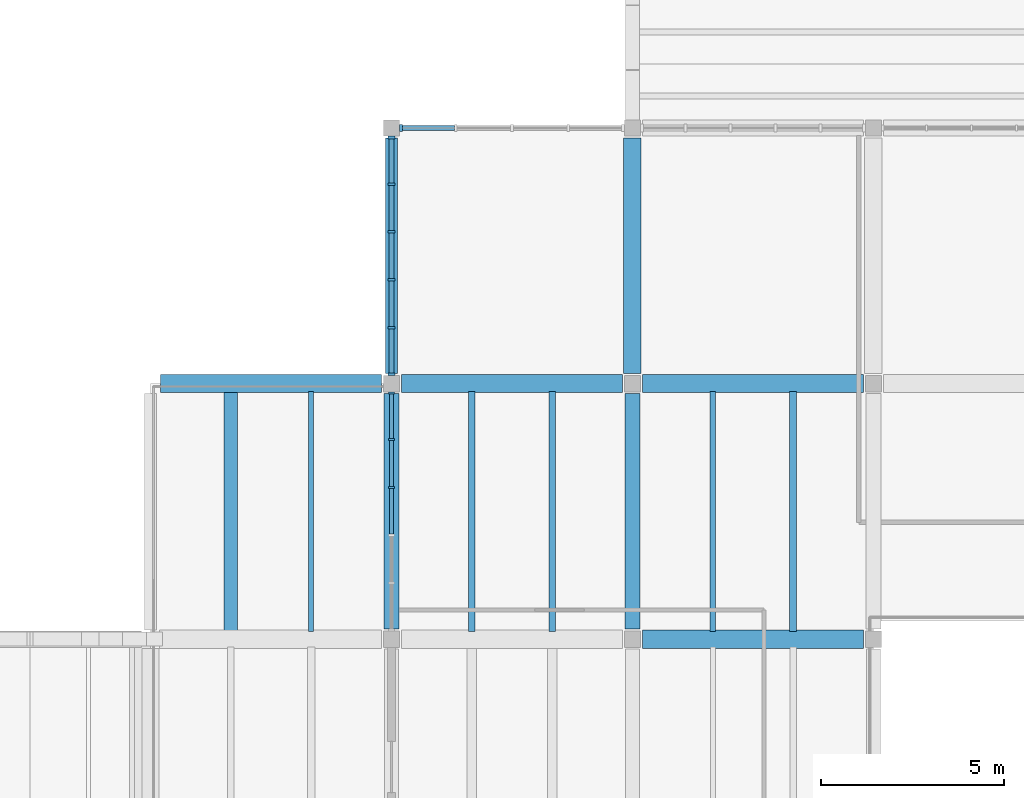
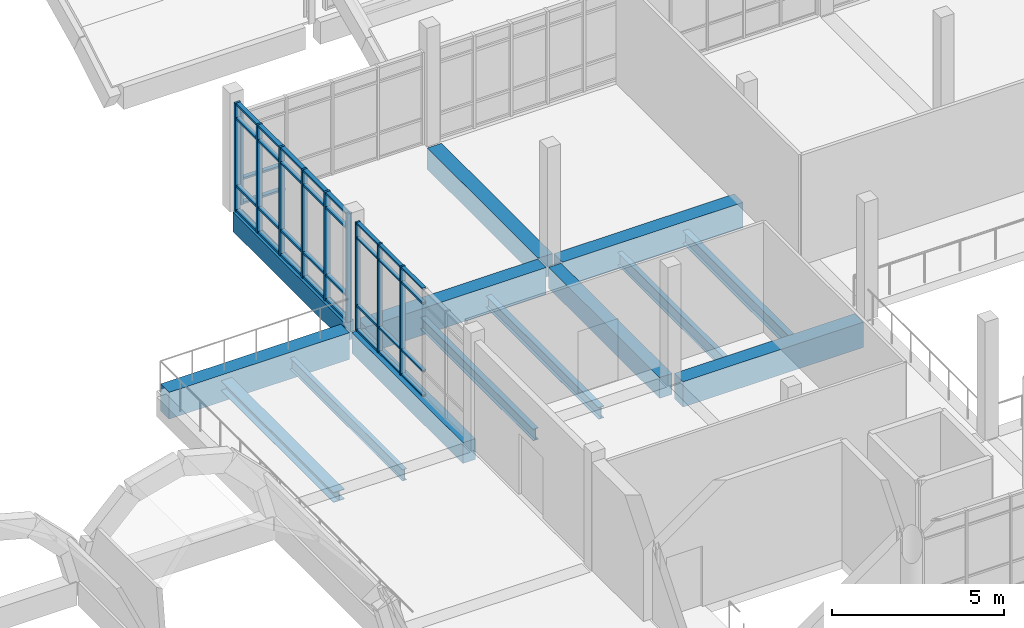
# One storey, part 5 of 92: 44 members, 14 beams, 3 elements without a shape of their own.
"""IFC4 building model written with IfcOpenShell, lengths in metres."""

from ifc_helpers import new_model, si_unit, direction, frame, origin, origin_2d, place, context, subcontext, project, spatial, rectangle, i_section, extrude, material, material_profile, profile_set, type_object, element, aggregate, save


model = new_model("IFC4")

# Units and contexts
model_context = context("Model", 3, precision=1e-05, world=origin(), true_north=direction((0.0, 1.0)))
body_context = subcontext(model_context, "Body", "Model", "MODEL_VIEW")
ifc_project = project(units=[si_unit("LENGTHUNIT", "METRE"), si_unit("AREAUNIT", "SQUARE_METRE"), si_unit("VOLUMEUNIT", "CUBIC_METRE"), si_unit("PLANEANGLEUNIT", "RADIAN"), si_unit("MASSUNIT", "GRAM", prefix="KILO")], contexts=[model_context])

# Site, building, storey
site_placement = place(None, origin())
site = spatial("IfcSite", under=ifc_project, at=site_placement, CompositionType="ELEMENT")
building_placement = place(site_placement, origin())
building = spatial("IfcBuilding", under=site, at=building_placement, Name="Ciguamira Faculty of Natural Sciences", CompositionType="ELEMENT")
storey_placement = place(building_placement, frame((0.0, 0.0, 16.800048828125)))
storey = spatial("IfcBuildingStorey", under=building, at=storey_placement, Name="L04", CompositionType="ELEMENT", Elevation=16.800048828125)

# Curtain wall, members
ifc_material_1 = material(Name="Anodized aluminium curtain wall", Category="aluminium")
curtain_wall_type_1 = type_object("IfcCurtainWallType", Name="CurtainWall_CW-10", PredefinedType="USERDEFINED", material=ifc_material_1)
curtain_wall_1_placement = place(storey_placement, origin())
curtain_wall_1 = element("IfcCurtainWall", 1, at=curtain_wall_1_placement, inside=storey, type_object=curtain_wall_type_1, Name="L04 unitised curtain wall 0130", ObjectType="UNITISED CURTAIN WALL", PredefinedType="USERDEFINED")
ifc_material_2 = material(Name="Anodized aluminium mullion", Category="aluminium")
ifc_material_profile_1 = material_profile(ifc_material_2, rectangle(XDim=0.06005859375, YDim=0.159912109375, at=origin_2d()), Name="ALU-MUL-60X160")
ifc_profile_set_1 = profile_set([ifc_material_profile_1], Name="Anodized aluminium mullion")
member_type_1 = type_object("IfcMemberType", Name="CWMullion_CWM-01", PredefinedType="MULLION", material=ifc_profile_set_1)
member_1_placement = place(storey_placement, frame((57.300048828125, 28.155029296875, 0.0), z_axis=(0.0, 0.0, 1.0), x_axis=(0.0, 1.0, 0.0)))
member_1 = element("IfcMember", 2, at=member_1_placement, type_object=member_type_1, Name="CW-10 mullion 4", PredefinedType="MULLION", context=body_context, shape_type="SweptSolid", body=[
    extrude(rectangle(XDim=0.06005859375, YDim=0.159912109375, at=origin_2d()), origin(), (0.0, 0.0, 1.0), 3.849853515625),
])
member_2_placement = place(storey_placement, frame((57.300048828125, 29.465087890625, 0.0), z_axis=(0.0, 0.0, 1.0), x_axis=(0.0, 1.0, 0.0)))
member_2 = element("IfcMember", 3, at=member_2_placement, type_object=member_type_1, Name="CW-10 mullion 5", PredefinedType="MULLION", context=body_context, shape_type="SweptSolid", body=[
    extrude(rectangle(XDim=0.06005859375, YDim=0.159912109375, at=origin_2d()), origin(), (0.0, 0.0, 1.0), 3.849853515625),
])
member_3_placement = place(storey_placement, frame((57.300048828125, 30.7451171875, 0.0), z_axis=(0.0, 0.0, 1.0), x_axis=(0.0, 1.0, 0.0)))
member_3 = element("IfcMember", 4, at=member_3_placement, type_object=member_type_1, Name="CW-10 mullion 6", PredefinedType="MULLION", context=body_context, shape_type="SweptSolid", body=[
    extrude(rectangle(XDim=0.06005859375, YDim=0.159912109375, at=origin_2d()), origin(), (0.0, 0.0, 1.0), 3.849853515625),
])

# Curtain wall, member
curtain_wall_type_2 = type_object("IfcCurtainWallType", Name="CurtainWall_CW-05", PredefinedType="USERDEFINED", material=ifc_material_1)
curtain_wall_2_placement = place(storey_placement, origin())
curtain_wall_2 = element("IfcCurtainWall", 5, at=curtain_wall_2_placement, inside=storey, type_object=curtain_wall_type_2, Name="L04 unitised curtain wall 0113", ObjectType="UNITISED CURTAIN WALL", PredefinedType="USERDEFINED")
ifc_material_profile_2 = material_profile(ifc_material_2, rectangle(XDim=0.070068359375, YDim=0.179931640625, at=origin_2d()), Name="ALU-MUL-70X180")
ifc_profile_set_2 = profile_set([ifc_material_profile_2], Name="Anodized aluminium mullion")
member_type_2 = type_object("IfcMemberType", Name="CWMullion_CWM-02", PredefinedType="MULLION", material=ifc_profile_set_2)
member_4_placement = place(storey_placement, frame((57.56005859375, 38.0, 0.0), z_axis=(0.0, 0.0, 1.0), x_axis=(1.0, 0.0, 0.0)))
member_4 = element("IfcMember", 6, at=member_4_placement, type_object=member_type_2, Name="CW-05 mullion 1", PredefinedType="MULLION", context=body_context, shape_type="SweptSolid", body=[
    extrude(rectangle(XDim=0.070068359375, YDim=0.179931640625, at=origin_2d()), origin(), (0.0, 0.0, 1.0), 3.284912109375),
])

# Curtain wall, members
curtain_wall_type_3 = type_object("IfcCurtainWallType", Name="CurtainWall_CW-11", PredefinedType="USERDEFINED", material=ifc_material_1)
curtain_wall_3_placement = place(storey_placement, origin())
curtain_wall_3 = element("IfcCurtainWall", 7, at=curtain_wall_3_placement, inside=storey, type_object=curtain_wall_type_3, Name="L04 unitised curtain wall 0131", ObjectType="UNITISED CURTAIN WALL", PredefinedType="USERDEFINED")
member_5_placement = place(storey_placement, frame((57.300048828125, 31.260009765625, 0.0), z_axis=(0.0, 0.0, 1.0), x_axis=(0.0, 1.0, 0.0)))
member_5 = element("IfcMember", 8, at=member_5_placement, type_object=member_type_2, Name="CW-11 mullion 1", PredefinedType="MULLION", context=body_context, shape_type="SweptSolid", body=[
    extrude(rectangle(XDim=0.070068359375, YDim=0.179931640625, at=origin_2d()), origin(), (0.0, 0.0, 1.0), 3.849853515625),
])
member_6_placement = place(storey_placement, frame((57.300048828125, 32.534912109375, 0.0), z_axis=(0.0, 0.0, 1.0), x_axis=(0.0, 1.0, 0.0)))
member_6 = element("IfcMember", 9, at=member_6_placement, type_object=member_type_2, Name="CW-11 mullion 2", PredefinedType="MULLION", context=body_context, shape_type="SweptSolid", body=[
    extrude(rectangle(XDim=0.070068359375, YDim=0.179931640625, at=origin_2d()), origin(), (0.0, 0.0, 1.0), 3.849853515625),
])
member_7_placement = place(storey_placement, frame((57.300048828125, 33.844970703125, 0.0), z_axis=(0.0, 0.0, 1.0), x_axis=(0.0, 1.0, 0.0)))
member_7 = element("IfcMember", 10, at=member_7_placement, type_object=member_type_2, Name="CW-11 mullion 3", PredefinedType="MULLION", context=body_context, shape_type="SweptSolid", body=[
    extrude(rectangle(XDim=0.070068359375, YDim=0.179931640625, at=origin_2d()), origin(), (0.0, 0.0, 1.0), 3.849853515625),
])
member_8_placement = place(storey_placement, frame((57.300048828125, 35.155029296875, 0.0), z_axis=(0.0, 0.0, 1.0), x_axis=(0.0, 1.0, 0.0)))
member_8 = element("IfcMember", 11, at=member_8_placement, type_object=member_type_2, Name="CW-11 mullion 4", PredefinedType="MULLION", context=body_context, shape_type="SweptSolid", body=[
    extrude(rectangle(XDim=0.070068359375, YDim=0.179931640625, at=origin_2d()), origin(), (0.0, 0.0, 1.0), 3.849853515625),
])
member_9_placement = place(storey_placement, frame((57.300048828125, 36.465087890625, 0.0), z_axis=(0.0, 0.0, 1.0), x_axis=(0.0, 1.0, 0.0)))
member_9 = element("IfcMember", 12, at=member_9_placement, type_object=member_type_2, Name="CW-11 mullion 5", PredefinedType="MULLION", context=body_context, shape_type="SweptSolid", body=[
    extrude(rectangle(XDim=0.070068359375, YDim=0.179931640625, at=origin_2d()), origin(), (0.0, 0.0, 1.0), 3.849853515625),
])
member_10_placement = place(storey_placement, frame((57.300048828125, 37.739990234375, 0.0), z_axis=(0.0, 0.0, 1.0), x_axis=(0.0, 1.0, 0.0)))
member_10 = element("IfcMember", 13, at=member_10_placement, type_object=member_type_2, Name="CW-11 mullion 6", PredefinedType="MULLION", context=body_context, shape_type="SweptSolid", body=[
    extrude(rectangle(XDim=0.070068359375, YDim=0.179931640625, at=origin_2d()), origin(), (0.0, 0.0, 1.0), 3.849853515625),
])

# Member
ifc_material_3 = material(Name="Anodized aluminium transom", Category="aluminium")
ifc_material_profile_3 = material_profile(ifc_material_3, rectangle(XDim=0.06005859375, YDim=0.1201171875, at=origin_2d()), Name="ALU-TRN-60X120")
ifc_profile_set_3 = profile_set([ifc_material_profile_3], Name="Anodized aluminium transom")
member_type_3 = type_object("IfcMemberType", Name="CWTransom_CWT-01", PredefinedType="USERDEFINED", material=ifc_profile_set_3)
member_11_placement = place(storey_placement, frame((57.300048828125, 26.875, 0.030029296875), z_axis=(0.0, 1.0, 0.0), x_axis=(0.0, 0.0, 1.0)))
member_11 = element("IfcMember", 14, at=member_11_placement, type_object=member_type_3, Name="CW-10 transom 3.1", ObjectType="TRANSOM", PredefinedType="USERDEFINED", context=body_context, shape_type="SweptSolid", body=[
    extrude(rectangle(XDim=0.06005859375, YDim=0.1201171875, at=origin_2d()), origin(), (0.0, 0.0, 1.0), 1.25),
])

member_12_placement = place(storey_placement, frame((57.300048828125, 26.875, 0.89990234375), z_axis=(0.0, 1.0, 0.0), x_axis=(0.0, 0.0, 1.0)))
member_12 = element("IfcMember", 15, at=member_12_placement, type_object=member_type_3, Name="CW-10 transom 3.2", ObjectType="TRANSOM", PredefinedType="USERDEFINED", context=body_context, shape_type="SweptSolid", body=[
    extrude(rectangle(XDim=0.06005859375, YDim=0.1201171875, at=origin_2d()), origin(), (0.0, 0.0, 1.0), 1.25),
])

member_13_placement = place(storey_placement, frame((57.300048828125, 26.875, 3.300048828125), z_axis=(0.0, 1.0, 0.0), x_axis=(0.0, 0.0, 1.0)))
member_13 = element("IfcMember", 16, at=member_13_placement, type_object=member_type_3, Name="CW-10 transom 3.3", ObjectType="TRANSOM", PredefinedType="USERDEFINED", context=body_context, shape_type="SweptSolid", body=[
    extrude(rectangle(XDim=0.06005859375, YDim=0.1201171875, at=origin_2d()), origin(), (0.0, 0.0, 1.0), 1.25),
])

member_14_placement = place(storey_placement, frame((57.300048828125, 26.875, 3.820068359375), z_axis=(0.0, 1.0, 0.0), x_axis=(0.0, 0.0, 1.0)))
member_14 = element("IfcMember", 17, at=member_14_placement, type_object=member_type_3, Name="CW-10 transom 3.4", ObjectType="TRANSOM", PredefinedType="USERDEFINED", context=body_context, shape_type="SweptSolid", body=[
    extrude(rectangle(XDim=0.06005859375, YDim=0.1201171875, at=origin_2d()), origin(), (0.0, 0.0, 1.0), 1.25),
])

member_15_placement = place(storey_placement, frame((57.300048828125, 28.18505859375, 0.030029296875), z_axis=(0.0, 1.0, 0.0), x_axis=(0.0, 0.0, 1.0)))
member_15 = element("IfcMember", 18, at=member_15_placement, type_object=member_type_3, Name="CW-10 transom 4.1", ObjectType="TRANSOM", PredefinedType="USERDEFINED", context=body_context, shape_type="SweptSolid", body=[
    extrude(rectangle(XDim=0.06005859375, YDim=0.1201171875, at=origin_2d()), origin(), (0.0, 0.0, 1.0), 1.25),
])

member_16_placement = place(storey_placement, frame((57.300048828125, 28.18505859375, 0.89990234375), z_axis=(0.0, 1.0, 0.0), x_axis=(0.0, 0.0, 1.0)))
member_16 = element("IfcMember", 19, at=member_16_placement, type_object=member_type_3, Name="CW-10 transom 4.2", ObjectType="TRANSOM", PredefinedType="USERDEFINED", context=body_context, shape_type="SweptSolid", body=[
    extrude(rectangle(XDim=0.06005859375, YDim=0.1201171875, at=origin_2d()), origin(), (0.0, 0.0, 1.0), 1.25),
])

member_17_placement = place(storey_placement, frame((57.300048828125, 28.18505859375, 3.300048828125), z_axis=(0.0, 1.0, 0.0), x_axis=(0.0, 0.0, 1.0)))
member_17 = element("IfcMember", 20, at=member_17_placement, type_object=member_type_3, Name="CW-10 transom 4.3", ObjectType="TRANSOM", PredefinedType="USERDEFINED", context=body_context, shape_type="SweptSolid", body=[
    extrude(rectangle(XDim=0.06005859375, YDim=0.1201171875, at=origin_2d()), origin(), (0.0, 0.0, 1.0), 1.25),
])

member_18_placement = place(storey_placement, frame((57.300048828125, 28.18505859375, 3.820068359375), z_axis=(0.0, 1.0, 0.0), x_axis=(0.0, 0.0, 1.0)))
member_18 = element("IfcMember", 21, at=member_18_placement, type_object=member_type_3, Name="CW-10 transom 4.4", ObjectType="TRANSOM", PredefinedType="USERDEFINED", context=body_context, shape_type="SweptSolid", body=[
    extrude(rectangle(XDim=0.06005859375, YDim=0.1201171875, at=origin_2d()), origin(), (0.0, 0.0, 1.0), 1.25),
])

member_19_placement = place(storey_placement, frame((57.300048828125, 29.4951171875, 0.030029296875), z_axis=(0.0, 1.0, 0.0), x_axis=(0.0, 0.0, 1.0)))
member_19 = element("IfcMember", 22, at=member_19_placement, type_object=member_type_3, Name="CW-10 transom 5.1", ObjectType="TRANSOM", PredefinedType="USERDEFINED", context=body_context, shape_type="SweptSolid", body=[
    extrude(rectangle(XDim=0.06005859375, YDim=0.1201171875, at=origin_2d()), origin(), (0.0, 0.0, 1.0), 1.219970703125),
])

member_20_placement = place(storey_placement, frame((57.300048828125, 29.4951171875, 0.89990234375), z_axis=(0.0, 1.0, 0.0), x_axis=(0.0, 0.0, 1.0)))
member_20 = element("IfcMember", 23, at=member_20_placement, type_object=member_type_3, Name="CW-10 transom 5.2", ObjectType="TRANSOM", PredefinedType="USERDEFINED", context=body_context, shape_type="SweptSolid", body=[
    extrude(rectangle(XDim=0.06005859375, YDim=0.1201171875, at=origin_2d()), origin(), (0.0, 0.0, 1.0), 1.219970703125),
])

member_21_placement = place(storey_placement, frame((57.300048828125, 29.4951171875, 3.300048828125), z_axis=(0.0, 1.0, 0.0), x_axis=(0.0, 0.0, 1.0)))
member_21 = element("IfcMember", 24, at=member_21_placement, type_object=member_type_3, Name="CW-10 transom 5.3", ObjectType="TRANSOM", PredefinedType="USERDEFINED", context=body_context, shape_type="SweptSolid", body=[
    extrude(rectangle(XDim=0.06005859375, YDim=0.1201171875, at=origin_2d()), origin(), (0.0, 0.0, 1.0), 1.219970703125),
])

member_22_placement = place(storey_placement, frame((57.300048828125, 29.4951171875, 3.820068359375), z_axis=(0.0, 1.0, 0.0), x_axis=(0.0, 0.0, 1.0)))
member_22 = element("IfcMember", 25, at=member_22_placement, type_object=member_type_3, Name="CW-10 transom 5.4", ObjectType="TRANSOM", PredefinedType="USERDEFINED", context=body_context, shape_type="SweptSolid", body=[
    extrude(rectangle(XDim=0.06005859375, YDim=0.1201171875, at=origin_2d()), origin(), (0.0, 0.0, 1.0), 1.219970703125),
])

aggregate(curtain_wall_1, [member_1, member_2, member_3, member_11, member_12, member_13, member_14, member_15, member_16, member_17, member_18, member_19, member_20, member_21, member_22])

ifc_material_profile_4 = material_profile(ifc_material_3, rectangle(XDim=0.070068359375, YDim=0.139892578125, at=origin_2d()), Name="ALU-TRN-70X140")
ifc_profile_set_4 = profile_set([ifc_material_profile_4], Name="Anodized aluminium transom")
member_type_4 = type_object("IfcMemberType", Name="CWTransom_CWT-02", PredefinedType="USERDEFINED", material=ifc_profile_set_4)
member_23_placement = place(storey_placement, frame((57.594970703125, 38.0, 0.034912109375), z_axis=(1.0, 0.0, 0.0), x_axis=(0.0, 0.0, 1.0)))
member_23 = element("IfcMember", 26, at=member_23_placement, type_object=member_type_4, Name="CW-05 transom 1.1", ObjectType="TRANSOM", PredefinedType="USERDEFINED", context=body_context, shape_type="SweptSolid", body=[
    extrude(rectangle(XDim=0.070068359375, YDim=0.139892578125, at=origin_2d()), origin(), (0.0, 0.0, 1.0), 1.4326171875),
])

member_24_placement = place(storey_placement, frame((57.594970703125, 38.0, 0.89990234375), z_axis=(1.0, 0.0, 0.0), x_axis=(0.0, 0.0, 1.0)))
member_24 = element("IfcMember", 27, at=member_24_placement, type_object=member_type_4, Name="CW-05 transom 1.2", ObjectType="TRANSOM", PredefinedType="USERDEFINED", context=body_context, shape_type="SweptSolid", body=[
    extrude(rectangle(XDim=0.070068359375, YDim=0.139892578125, at=origin_2d()), origin(), (0.0, 0.0, 1.0), 1.4326171875),
])

aggregate(curtain_wall_2, [member_4, member_23, member_24])

member_25_placement = place(storey_placement, frame((57.300048828125, 31.294921875, 0.034912109375), z_axis=(0.0, 1.0, 0.0), x_axis=(0.0, 0.0, 1.0)))
member_25 = element("IfcMember", 28, at=member_25_placement, type_object=member_type_4, Name="CW-11 transom 1.1", ObjectType="TRANSOM", PredefinedType="USERDEFINED", context=body_context, shape_type="SweptSolid", body=[
    extrude(rectangle(XDim=0.070068359375, YDim=0.139892578125, at=origin_2d()), origin(), (0.0, 0.0, 1.0), 1.205078125),
])

member_26_placement = place(storey_placement, frame((57.300048828125, 31.294921875, 0.89990234375), z_axis=(0.0, 1.0, 0.0), x_axis=(0.0, 0.0, 1.0)))
member_26 = element("IfcMember", 29, at=member_26_placement, type_object=member_type_4, Name="CW-11 transom 1.2", ObjectType="TRANSOM", PredefinedType="USERDEFINED", context=body_context, shape_type="SweptSolid", body=[
    extrude(rectangle(XDim=0.070068359375, YDim=0.139892578125, at=origin_2d()), origin(), (0.0, 0.0, 1.0), 1.205078125),
])

member_27_placement = place(storey_placement, frame((57.300048828125, 31.294921875, 3.300048828125), z_axis=(0.0, 1.0, 0.0), x_axis=(0.0, 0.0, 1.0)))
member_27 = element("IfcMember", 30, at=member_27_placement, type_object=member_type_4, Name="CW-11 transom 1.3", ObjectType="TRANSOM", PredefinedType="USERDEFINED", context=body_context, shape_type="SweptSolid", body=[
    extrude(rectangle(XDim=0.070068359375, YDim=0.139892578125, at=origin_2d()), origin(), (0.0, 0.0, 1.0), 1.205078125),
])

member_28_placement = place(storey_placement, frame((57.300048828125, 31.294921875, 3.81494140625), z_axis=(0.0, 1.0, 0.0), x_axis=(0.0, 0.0, 1.0)))
member_28 = element("IfcMember", 31, at=member_28_placement, type_object=member_type_4, Name="CW-11 transom 1.4", ObjectType="TRANSOM", PredefinedType="USERDEFINED", context=body_context, shape_type="SweptSolid", body=[
    extrude(rectangle(XDim=0.070068359375, YDim=0.139892578125, at=origin_2d()), origin(), (0.0, 0.0, 1.0), 1.205078125),
])

member_29_placement = place(storey_placement, frame((57.300048828125, 32.570068359375, 0.034912109375), z_axis=(0.0, 1.0, 0.0), x_axis=(0.0, 0.0, 1.0)))
member_29 = element("IfcMember", 32, at=member_29_placement, type_object=member_type_4, Name="CW-11 transom 2.1", ObjectType="TRANSOM", PredefinedType="USERDEFINED", context=body_context, shape_type="SweptSolid", body=[
    extrude(rectangle(XDim=0.070068359375, YDim=0.139892578125, at=origin_2d()), origin(), (0.0, 0.0, 1.0), 1.239990234375),
])

member_30_placement = place(storey_placement, frame((57.300048828125, 32.570068359375, 0.89990234375), z_axis=(0.0, 1.0, 0.0), x_axis=(0.0, 0.0, 1.0)))
member_30 = element("IfcMember", 33, at=member_30_placement, type_object=member_type_4, Name="CW-11 transom 2.2", ObjectType="TRANSOM", PredefinedType="USERDEFINED", context=body_context, shape_type="SweptSolid", body=[
    extrude(rectangle(XDim=0.070068359375, YDim=0.139892578125, at=origin_2d()), origin(), (0.0, 0.0, 1.0), 1.239990234375),
])

member_31_placement = place(storey_placement, frame((57.300048828125, 32.570068359375, 3.300048828125), z_axis=(0.0, 1.0, 0.0), x_axis=(0.0, 0.0, 1.0)))
member_31 = element("IfcMember", 34, at=member_31_placement, type_object=member_type_4, Name="CW-11 transom 2.3", ObjectType="TRANSOM", PredefinedType="USERDEFINED", context=body_context, shape_type="SweptSolid", body=[
    extrude(rectangle(XDim=0.070068359375, YDim=0.139892578125, at=origin_2d()), origin(), (0.0, 0.0, 1.0), 1.239990234375),
])

member_32_placement = place(storey_placement, frame((57.300048828125, 32.570068359375, 3.81494140625), z_axis=(0.0, 1.0, 0.0), x_axis=(0.0, 0.0, 1.0)))
member_32 = element("IfcMember", 35, at=member_32_placement, type_object=member_type_4, Name="CW-11 transom 2.4", ObjectType="TRANSOM", PredefinedType="USERDEFINED", context=body_context, shape_type="SweptSolid", body=[
    extrude(rectangle(XDim=0.070068359375, YDim=0.139892578125, at=origin_2d()), origin(), (0.0, 0.0, 1.0), 1.239990234375),
])

member_33_placement = place(storey_placement, frame((57.300048828125, 33.8798828125, 0.034912109375), z_axis=(0.0, 1.0, 0.0), x_axis=(0.0, 0.0, 1.0)))
member_33 = element("IfcMember", 36, at=member_33_placement, type_object=member_type_4, Name="CW-11 transom 3.1", ObjectType="TRANSOM", PredefinedType="USERDEFINED", context=body_context, shape_type="SweptSolid", body=[
    extrude(rectangle(XDim=0.070068359375, YDim=0.139892578125, at=origin_2d()), origin(), (0.0, 0.0, 1.0), 1.240234375),
])

member_34_placement = place(storey_placement, frame((57.300048828125, 33.8798828125, 0.89990234375), z_axis=(0.0, 1.0, 0.0), x_axis=(0.0, 0.0, 1.0)))
member_34 = element("IfcMember", 37, at=member_34_placement, type_object=member_type_4, Name="CW-11 transom 3.2", ObjectType="TRANSOM", PredefinedType="USERDEFINED", context=body_context, shape_type="SweptSolid", body=[
    extrude(rectangle(XDim=0.070068359375, YDim=0.139892578125, at=origin_2d()), origin(), (0.0, 0.0, 1.0), 1.240234375),
])

member_35_placement = place(storey_placement, frame((57.300048828125, 33.8798828125, 3.300048828125), z_axis=(0.0, 1.0, 0.0), x_axis=(0.0, 0.0, 1.0)))
member_35 = element("IfcMember", 38, at=member_35_placement, type_object=member_type_4, Name="CW-11 transom 3.3", ObjectType="TRANSOM", PredefinedType="USERDEFINED", context=body_context, shape_type="SweptSolid", body=[
    extrude(rectangle(XDim=0.070068359375, YDim=0.139892578125, at=origin_2d()), origin(), (0.0, 0.0, 1.0), 1.240234375),
])

member_36_placement = place(storey_placement, frame((57.300048828125, 33.8798828125, 3.81494140625), z_axis=(0.0, 1.0, 0.0), x_axis=(0.0, 0.0, 1.0)))
member_36 = element("IfcMember", 39, at=member_36_placement, type_object=member_type_4, Name="CW-11 transom 3.4", ObjectType="TRANSOM", PredefinedType="USERDEFINED", context=body_context, shape_type="SweptSolid", body=[
    extrude(rectangle(XDim=0.070068359375, YDim=0.139892578125, at=origin_2d()), origin(), (0.0, 0.0, 1.0), 1.240234375),
])

member_37_placement = place(storey_placement, frame((57.300048828125, 35.18994140625, 0.034912109375), z_axis=(0.0, 1.0, 0.0), x_axis=(0.0, 0.0, 1.0)))
member_37 = element("IfcMember", 40, at=member_37_placement, type_object=member_type_4, Name="CW-11 transom 4.1", ObjectType="TRANSOM", PredefinedType="USERDEFINED", context=body_context, shape_type="SweptSolid", body=[
    extrude(rectangle(XDim=0.070068359375, YDim=0.139892578125, at=origin_2d()), origin(), (0.0, 0.0, 1.0), 1.239990234375),
])

member_38_placement = place(storey_placement, frame((57.300048828125, 35.18994140625, 0.89990234375), z_axis=(0.0, 1.0, 0.0), x_axis=(0.0, 0.0, 1.0)))
member_38 = element("IfcMember", 41, at=member_38_placement, type_object=member_type_4, Name="CW-11 transom 4.2", ObjectType="TRANSOM", PredefinedType="USERDEFINED", context=body_context, shape_type="SweptSolid", body=[
    extrude(rectangle(XDim=0.070068359375, YDim=0.139892578125, at=origin_2d()), origin(), (0.0, 0.0, 1.0), 1.239990234375),
])

member_39_placement = place(storey_placement, frame((57.300048828125, 35.18994140625, 3.300048828125), z_axis=(0.0, 1.0, 0.0), x_axis=(0.0, 0.0, 1.0)))
member_39 = element("IfcMember", 42, at=member_39_placement, type_object=member_type_4, Name="CW-11 transom 4.3", ObjectType="TRANSOM", PredefinedType="USERDEFINED", context=body_context, shape_type="SweptSolid", body=[
    extrude(rectangle(XDim=0.070068359375, YDim=0.139892578125, at=origin_2d()), origin(), (0.0, 0.0, 1.0), 1.239990234375),
])

member_40_placement = place(storey_placement, frame((57.300048828125, 35.18994140625, 3.81494140625), z_axis=(0.0, 1.0, 0.0), x_axis=(0.0, 0.0, 1.0)))
member_40 = element("IfcMember", 43, at=member_40_placement, type_object=member_type_4, Name="CW-11 transom 4.4", ObjectType="TRANSOM", PredefinedType="USERDEFINED", context=body_context, shape_type="SweptSolid", body=[
    extrude(rectangle(XDim=0.070068359375, YDim=0.139892578125, at=origin_2d()), origin(), (0.0, 0.0, 1.0), 1.239990234375),
])

member_41_placement = place(storey_placement, frame((57.300048828125, 36.5, 0.034912109375), z_axis=(0.0, 1.0, 0.0), x_axis=(0.0, 0.0, 1.0)))
member_41 = element("IfcMember", 44, at=member_41_placement, type_object=member_type_4, Name="CW-11 transom 5.1", ObjectType="TRANSOM", PredefinedType="USERDEFINED", context=body_context, shape_type="SweptSolid", body=[
    extrude(rectangle(XDim=0.070068359375, YDim=0.139892578125, at=origin_2d()), origin(), (0.0, 0.0, 1.0), 1.205078125),
])

member_42_placement = place(storey_placement, frame((57.300048828125, 36.5, 0.89990234375), z_axis=(0.0, 1.0, 0.0), x_axis=(0.0, 0.0, 1.0)))
member_42 = element("IfcMember", 45, at=member_42_placement, type_object=member_type_4, Name="CW-11 transom 5.2", ObjectType="TRANSOM", PredefinedType="USERDEFINED", context=body_context, shape_type="SweptSolid", body=[
    extrude(rectangle(XDim=0.070068359375, YDim=0.139892578125, at=origin_2d()), origin(), (0.0, 0.0, 1.0), 1.205078125),
])

member_43_placement = place(storey_placement, frame((57.300048828125, 36.5, 3.300048828125), z_axis=(0.0, 1.0, 0.0), x_axis=(0.0, 0.0, 1.0)))
member_43 = element("IfcMember", 46, at=member_43_placement, type_object=member_type_4, Name="CW-11 transom 5.3", ObjectType="TRANSOM", PredefinedType="USERDEFINED", context=body_context, shape_type="SweptSolid", body=[
    extrude(rectangle(XDim=0.070068359375, YDim=0.139892578125, at=origin_2d()), origin(), (0.0, 0.0, 1.0), 1.205078125),
])

member_44_placement = place(storey_placement, frame((57.300048828125, 36.5, 3.81494140625), z_axis=(0.0, 1.0, 0.0), x_axis=(0.0, 0.0, 1.0)))
member_44 = element("IfcMember", 47, at=member_44_placement, type_object=member_type_4, Name="CW-11 transom 5.4", ObjectType="TRANSOM", PredefinedType="USERDEFINED", context=body_context, shape_type="SweptSolid", body=[
    extrude(rectangle(XDim=0.070068359375, YDim=0.139892578125, at=origin_2d()), origin(), (0.0, 0.0, 1.0), 1.205078125),
])

aggregate(curtain_wall_3, [member_5, member_6, member_7, member_8, member_9, member_10, member_25, member_26, member_27, member_28, member_29, member_30, member_31, member_32, member_33, member_34, member_35, member_36, member_37, member_38, member_39, member_40, member_41, member_42, member_43, member_44])

# Beams
ifc_material_4 = material(Name="Concrete C40/50", Category="concrete")
ifc_material_profile_5 = material_profile(ifc_material_4, rectangle(XDim=0.5, YDim=0.949951171875, at=origin_2d()), Name="RC-BM-500X950")
ifc_profile_set_5 = profile_set([ifc_material_profile_5], Name="Concrete C40/50")
beam_type_1 = type_object("IfcBeamType", Name="RCBeam_BG-02_RC-BM-500X950", PredefinedType="BEAM", material=ifc_profile_set_5)
beam_1_placement = place(storey_placement, frame((50.97509765625, 31.0, -0.47509765625), z_axis=(1.0, 0.0, 0.0), x_axis=(0.0, 1.0, 0.0)))
element("IfcBeam", 48, at=beam_1_placement, inside=storey, type_object=beam_type_1, Name="L04 RC girder EW-1351", PredefinedType="BEAM", context=body_context, shape_type="SweptSolid", body=[
    extrude(rectangle(XDim=0.5, YDim=0.949951171875, at=origin_2d()), origin(), (0.0, 0.0, 1.0), 6.0498046875),
])
beam_2_placement = place(storey_placement, frame((57.574951171875, 31.0, -0.47509765625), z_axis=(1.0, 0.0, 0.0), x_axis=(0.0, 1.0, 0.0)))
element("IfcBeam", 49, at=beam_2_placement, inside=storey, type_object=beam_type_1, Name="L04 RC girder EW-1352", PredefinedType="BEAM", context=body_context, shape_type="SweptSolid", body=[
    extrude(rectangle(XDim=0.5, YDim=0.949951171875, at=origin_2d()), origin(), (0.0, 0.0, 1.0), 6.050048828125),
])
ifc_material_profile_6 = material_profile(ifc_material_4, rectangle(XDim=0.5, YDim=0.89990234375, at=origin_2d()), Name="RC-BM-500X900")
ifc_profile_set_6 = profile_set([ifc_material_profile_6], Name="Concrete C40/50")
beam_type_2 = type_object("IfcBeamType", Name="RCBeam_BG-03_RC-BM-500X900", PredefinedType="BEAM", material=ifc_profile_set_6)
for number, where, z_axis, x_axis, name in (
    (50, (64.175048828125, 24.0, -0.449951171875), (1.0, 0.0, 0.0), (0.0, 1.0, 0.0), "L04 RC girder EW-1347"),
    (51, (64.175048828125, 31.0, -0.449951171875), (1.0, 0.0, 0.0), (0.0, 1.0, 0.0), "L04 RC girder EW-1353"),
):
    element("IfcBeam", number, at=place(storey_placement, frame(where, z_axis=z_axis, x_axis=x_axis)), inside=storey, type_object=beam_type_2, Name=name, PredefinedType="BEAM", context=body_context, shape_type="SweptSolid", body=[
        extrude(rectangle(XDim=0.5, YDim=0.89990234375, at=origin_2d()), origin(), (0.0, 0.0, 1.0), 6.050048828125),
    ])
ifc_material_profile_7 = material_profile(ifc_material_4, rectangle(XDim=0.419921875, YDim=0.739990234375, at=origin_2d()), Name="RC-BM-420X740")
ifc_profile_set_7 = profile_set([ifc_material_profile_7], Name="Concrete C40/50")
beam_type_3 = type_object("IfcBeamType", Name="RCBeam_BG-07_RC-BM-420X740", PredefinedType="BEAM", material=ifc_profile_set_7)
for number, where, z_axis, x_axis, name in (
    (52, (57.300048828125, 24.27490234375, -0.3701171875), (0.0, 1.0, 0.0), (-1.0, 0.0, 0.0), "L04 girder NS-1388"),
    (53, (63.89990234375, 24.27490234375, -0.3701171875), (0.0, 1.0, 0.0), (-1.0, 0.0, 0.0), "L04 girder NS-1394"),
):
    element("IfcBeam", number, at=place(storey_placement, frame(where, z_axis=z_axis, x_axis=x_axis)), inside=storey, type_object=beam_type_3, Name=name, PredefinedType="BEAM", context=body_context, shape_type="SweptSolid", body=[
        extrude(rectangle(XDim=0.419921875, YDim=0.739990234375, at=origin_2d()), origin(), (0.0, 0.0, 1.0), 6.4501953125),
    ])
ifc_material_5 = material(Name="Precast concrete C40/50", Category="concrete")
ifc_material_profile_8 = material_profile(ifc_material_5, rectangle(XDim=0.320068359375, YDim=0.679931640625, at=origin_2d()), Name="RC-SP-320X680")
ifc_profile_set_8 = profile_set([ifc_material_profile_8], Name="Precast concrete C40/50")
beam_type_4 = type_object("IfcBeamType", Name="RCBeam_SP-02_RC-SP-320X680", PredefinedType="SPANDREL", material=ifc_profile_set_8)
beam_3_placement = place(storey_placement, frame((57.300048828125, 31.27490234375, -0.340087890625), z_axis=(0.0, 1.0, 0.0), x_axis=(-1.0, 0.0, 0.0)))
element("IfcBeam", 54, at=beam_3_placement, inside=storey, type_object=beam_type_4, Name="L04 girder NS-1389", PredefinedType="SPANDREL", context=body_context, shape_type="SweptSolid", body=[
    extrude(rectangle(XDim=0.320068359375, YDim=0.679931640625, at=origin_2d()), origin(), (0.0, 0.0, 1.0), 6.4501953125),
])
ifc_material_profile_9 = material_profile(ifc_material_4, rectangle(XDim=0.47998046875, YDim=0.760009765625, at=origin_2d()), Name="RC-TB-480X760")
ifc_profile_set_9 = profile_set([ifc_material_profile_9], Name="Concrete C40/50")
beam_type_5 = type_object("IfcBeamType", Name="RCBeam_TB-01_RC-TB-480X760", PredefinedType="T_BEAM", material=ifc_profile_set_9)
beam_4_placement = place(storey_placement, frame((63.89990234375, 31.27490234375, -0.380126953125), z_axis=(0.0, 1.0, 0.0), x_axis=(-1.0, 0.0, 0.0)))
element("IfcBeam", 55, at=beam_4_placement, inside=storey, type_object=beam_type_5, Name="L04 girder NS-1395", PredefinedType="T_BEAM", context=body_context, shape_type="SweptSolid", body=[
    extrude(rectangle(XDim=0.47998046875, YDim=0.760009765625, at=origin_2d()), origin(), (0.0, 0.0, 1.0), 6.4501953125),
])
ifc_material_6 = material(Name="Steel ASTM A992 Grade 50", Category="steel")
ifc_material_profile_10 = material_profile(ifc_material_6, i_section(OverallWidth=0.368408203125, OverallDepth=0.355712890625, WebThickness=0.01123046875, FlangeThickness=0.01806640625, at=origin_2d()), Name="W14X90")
ifc_profile_set_10 = profile_set([ifc_material_profile_10], Name="Steel ASTM A992 Grade 50")
beam_type_6 = type_object("IfcBeamType", Name="SteelJoist_SJ-16_W14X90", PredefinedType="JOIST", material=ifc_profile_set_10)
beam_5_placement = place(storey_placement, frame((52.89990234375, 24.2099609375, -0.3779296875), z_axis=(0.0, 1.0, 0.0), x_axis=(-1.0, 0.0, 0.0)))
element("IfcBeam", 56, at=beam_5_placement, inside=storey, type_object=beam_type_6, Name="L04 composite steel joist 01273", PredefinedType="JOIST", context=body_context, shape_type="SweptSolid", body=[
    extrude(i_section(OverallWidth=0.368408203125, OverallDepth=0.355712890625, WebThickness=0.01123046875, FlangeThickness=0.01806640625, at=origin_2d()), origin(), (0.0, 0.0, 1.0), 6.580078125),
])
ifc_material_profile_11 = material_profile(ifc_material_6, i_section(OverallWidth=0.140380859375, OverallDepth=0.40380859375, WebThickness=0.007080078125, FlangeThickness=0.01123046875, at=origin_2d()), Name="W16X31")
ifc_profile_set_11 = profile_set([ifc_material_profile_11], Name="Steel ASTM A992 Grade 50")
beam_type_7 = type_object("IfcBeamType", Name="SteelJoist_SJ-17_W16X31", PredefinedType="JOIST", material=ifc_profile_set_11)
beam_6_placement = place(storey_placement, frame((55.10009765625, 24.2099609375, -0.40185546875), z_axis=(0.0, 1.0, 0.0), x_axis=(-1.0, 0.0, 0.0)))
element("IfcBeam", 57, at=beam_6_placement, inside=storey, type_object=beam_type_7, Name="L04 composite steel joist 01274", PredefinedType="JOIST", context=body_context, shape_type="SweptSolid", body=[
    extrude(i_section(OverallWidth=0.140380859375, OverallDepth=0.40380859375, WebThickness=0.007080078125, FlangeThickness=0.01123046875, at=origin_2d()), origin(), (0.0, 0.0, 1.0), 6.580078125),
])
ifc_material_profile_12 = material_profile(ifc_material_6, i_section(OverallWidth=0.1787109375, OverallDepth=0.408935546875, WebThickness=0.0087890625, FlangeThickness=0.014404296875, at=origin_2d()), Name="W16X45")
ifc_profile_set_12 = profile_set([ifc_material_profile_12], Name="Steel ASTM A992 Grade 50")
beam_type_8 = type_object("IfcBeamType", Name="SteelJoist_SJ-19_W16X45", PredefinedType="JOIST", material=ifc_profile_set_12)
beam_7_placement = place(storey_placement, frame((59.5, 24.2099609375, -0.504638671875), z_axis=(0.0, 1.0, 0.0), x_axis=(-1.0, 0.0, 0.0)))
element("IfcBeam", 58, at=beam_7_placement, inside=storey, type_object=beam_type_8, Name="L04 composite steel joist 01277", PredefinedType="JOIST", context=body_context, shape_type="SweptSolid", body=[
    extrude(i_section(OverallWidth=0.1787109375, OverallDepth=0.408935546875, WebThickness=0.0087890625, FlangeThickness=0.014404296875, at=origin_2d()), origin(), (0.0, 0.0, 1.0), 6.580078125),
])
ifc_material_profile_13 = material_profile(ifc_material_6, i_section(OverallWidth=0.180908203125, OverallDepth=0.41650390625, WebThickness=0.010986328125, FlangeThickness=0.01806640625, at=origin_2d()), Name="W16X57")
ifc_profile_set_13 = profile_set([ifc_material_profile_13], Name="Steel ASTM A992 Grade 50")
beam_type_9 = type_object("IfcBeamType", Name="SteelJoist_SJ-20_W16X57", PredefinedType="JOIST", material=ifc_profile_set_13)
beam_8_placement = place(storey_placement, frame((61.699951171875, 24.2099609375, -0.50830078125), z_axis=(0.0, 1.0, 0.0), x_axis=(-1.0, 0.0, 0.0)))
element("IfcBeam", 59, at=beam_8_placement, inside=storey, type_object=beam_type_9, Name="L04 composite steel joist 01278", PredefinedType="JOIST", context=body_context, shape_type="SweptSolid", body=[
    extrude(i_section(OverallWidth=0.180908203125, OverallDepth=0.41650390625, WebThickness=0.010986328125, FlangeThickness=0.01806640625, at=origin_2d()), origin(), (0.0, 0.0, 1.0), 6.580078125),
])
ifc_material_profile_14 = material_profile(ifc_material_6, i_section(OverallWidth=0.15283203125, OverallDepth=0.45458984375, WebThickness=0.008056640625, FlangeThickness=0.013427734375, at=origin_2d()), Name="W18X40")
ifc_profile_set_14 = profile_set([ifc_material_profile_14], Name="Steel ASTM A992 Grade 50")
beam_type_10 = type_object("IfcBeamType", Name="SteelJoist_SJ-22_W18X40", PredefinedType="JOIST", material=ifc_profile_set_14)
beam_9_placement = place(storey_placement, frame((66.10009765625, 24.2099609375, -0.52734375), z_axis=(0.0, 1.0, 0.0), x_axis=(-1.0, 0.0, 0.0)))
element("IfcBeam", 60, at=beam_9_placement, inside=storey, type_object=beam_type_10, Name="L04 composite steel joist 01286", PredefinedType="JOIST", context=body_context, shape_type="SweptSolid", body=[
    extrude(i_section(OverallWidth=0.15283203125, OverallDepth=0.45458984375, WebThickness=0.008056640625, FlangeThickness=0.013427734375, at=origin_2d()), origin(), (0.0, 0.0, 1.0), 6.580078125),
])
ifc_material_profile_15 = material_profile(ifc_material_6, i_section(OverallWidth=0.1904296875, OverallDepth=0.457275390625, WebThickness=0.009033203125, FlangeThickness=0.014404296875, at=origin_2d()), Name="W18X50")
ifc_profile_set_15 = profile_set([ifc_material_profile_15], Name="Steel ASTM A992 Grade 50")
beam_type_11 = type_object("IfcBeamType", Name="SteelJoist_SJ-23_W18X50", PredefinedType="JOIST", material=ifc_profile_set_15)
beam_10_placement = place(storey_placement, frame((68.300048828125, 24.2099609375, -0.528564453125), z_axis=(0.0, 1.0, 0.0), x_axis=(-1.0, 0.0, 0.0)))
element("IfcBeam", 61, at=beam_10_placement, inside=storey, type_object=beam_type_11, Name="L04 composite steel joist 01287", PredefinedType="JOIST", context=body_context, shape_type="SweptSolid", body=[
    extrude(i_section(OverallWidth=0.1904296875, OverallDepth=0.457275390625, WebThickness=0.009033203125, FlangeThickness=0.014404296875, at=origin_2d()), origin(), (0.0, 0.0, 1.0), 6.580078125),
])

save(model, "model.ifc")
